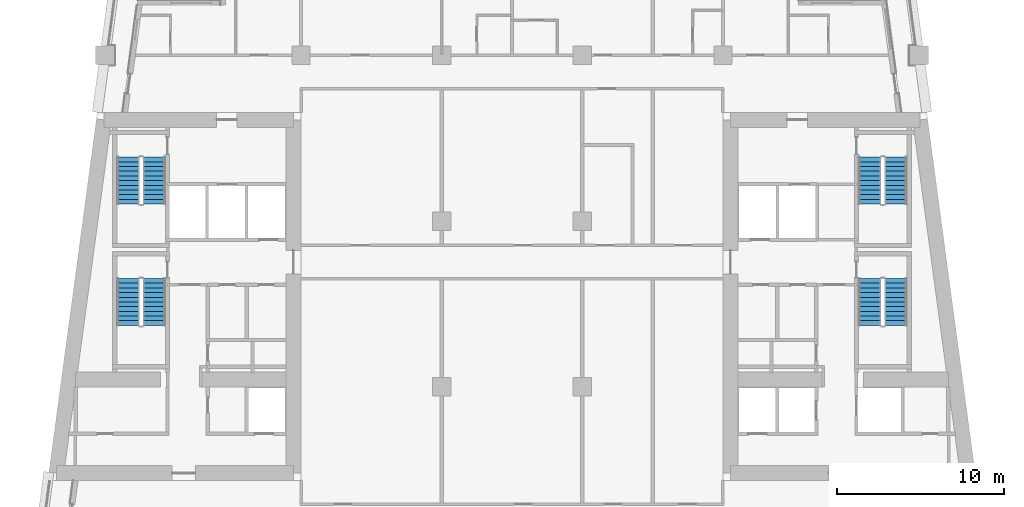
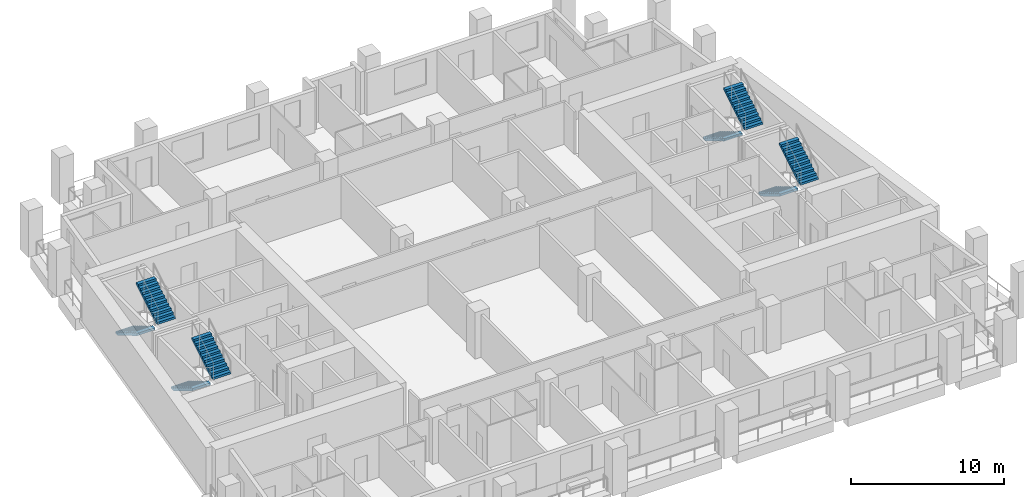
# One storey, part 8 of 13: 8 stair flights, 4 elements without a shape of their own.
"""IFC4 building model written with IfcOpenShell, lengths in metres."""

from ifc_helpers import new_model, si_unit, direction, frame, origin, place, context, subcontext, project, spatial, polyline, outline, extrude, material, type_object, element, aggregate, save


model = new_model("IFC4")

# Units and contexts
model_context = context("Model", 3, precision=1e-05, world=origin(), true_north=direction((0.0, 1.0)))
body_context = subcontext(model_context, "Body", "Model", "MODEL_VIEW")
ifc_project = project(units=[si_unit("LENGTHUNIT", "METRE"), si_unit("AREAUNIT", "SQUARE_METRE"), si_unit("VOLUMEUNIT", "CUBIC_METRE"), si_unit("PLANEANGLEUNIT", "RADIAN"), si_unit("MASSUNIT", "GRAM", prefix="KILO")], contexts=[model_context])

# Site, building, storey
site_placement = place(None, origin())
site = spatial("IfcSite", under=ifc_project, at=site_placement, CompositionType="ELEMENT")
building_placement = place(site_placement, origin())
building = spatial("IfcBuilding", under=site, at=building_placement, Name="Candeia Pilgrim Tower and Theatre", CompositionType="ELEMENT")
storey_placement = place(building_placement, frame((0.0, 0.0, 151.5)))
storey = spatial("IfcBuildingStorey", under=building, at=storey_placement, Name="L35", CompositionType="ELEMENT", Elevation=151.5)

# Stair, stair flights
ifc_material = material(Name="Concrete C40/50", Category="concrete")
stair_type = type_object("IfcStairType", Name="ST-TWR dog-leg escape stair", PredefinedType="HALF_TURN_STAIR", material=ifc_material)
stair_1_placement = place(storey_placement, origin())
stair_1 = element("IfcStair", 1, at=stair_1_placement, inside=storey, type_object=stair_type, Name="L35 Escape stair ST1", PredefinedType="HALF_TURN_STAIR")
stair_flight_type = type_object("IfcStairFlightType", Name="SFL-RC stair flight", PredefinedType="STRAIGHT", material=ifc_material)
stair_flight_1_placement = place(storey_placement, frame((90.47705078125, 122.47509765625, 0.0), z_axis=(0.0, 0.0, 1.0), x_axis=(0.0, -1.0, 0.0)))
stair_flight_1 = element("IfcStairFlight", 2, at=stair_flight_1_placement, type_object=stair_flight_type, Name="ST1 flight 1", NumberOfRisers=11, NumberOfTreads=10, PredefinedType="STRAIGHT", RiserHeight=0.168181818, TreadLength=0.28, context=body_context, shape_type="SweptSolid", body=[
    extrude(outline(polyline([(0.0, 0.0), (0.0, 0.168212890625), (0.280029296875, 0.168212890625), (0.280029296875, 0.33642578125), (0.56005859375, 0.33642578125), (0.56005859375, 0.504638671875), (0.840087890625, 0.504638671875), (0.840087890625, 0.672607421875), (1.1201171875, 0.672607421875), (1.1201171875, 0.8408203125), (1.39990234375, 0.8408203125), (1.39990234375, 1.009033203125), (1.679931640625, 1.009033203125), (1.679931640625, 1.17724609375), (1.9599609375, 1.17724609375), (1.9599609375, 1.345458984375), (2.239990234375, 1.345458984375), (2.239990234375, 1.513671875), (2.52001953125, 1.513671875), (2.52001953125, 1.681884765625), (2.800048828125, 1.681884765625), (2.800048828125, 1.85009765625), (2.800048828125, 1.5068359375), (0.291015625, 0.0), (0.0, 0.0)])), frame((0.0, 0.675048828125, 0.0), z_axis=(0.0, -1.0, 0.0), x_axis=(1.0, 0.0, 0.0)), (0.0, 0.0, 1.0), 1.35009765625),
])
stair_flight_2_placement = place(storey_placement, frame((92.027099609375, 119.675048828125, 1.85009765625), z_axis=(0.0, 0.0, 1.0), x_axis=(0.0, 1.0, 0.0)))
stair_flight_2 = element("IfcStairFlight", 3, at=stair_flight_2_placement, type_object=stair_flight_type, Name="ST1 flight 2", NumberOfRisers=11, NumberOfTreads=10, PredefinedType="STRAIGHT", RiserHeight=0.168181818, TreadLength=0.28, context=body_context, shape_type="SweptSolid", body=[
    extrude(outline(polyline([(0.0, 0.0), (0.0, 0.168212890625), (0.280029296875, 0.168212890625), (0.280029296875, 0.33642578125), (0.56005859375, 0.33642578125), (0.56005859375, 0.504638671875), (0.840087890625, 0.504638671875), (0.840087890625, 0.672607421875), (1.1201171875, 0.672607421875), (1.1201171875, 0.8408203125), (1.39990234375, 0.8408203125), (1.39990234375, 1.009033203125), (1.679931640625, 1.009033203125), (1.679931640625, 1.17724609375), (1.9599609375, 1.17724609375), (1.9599609375, 1.345458984375), (2.239990234375, 1.345458984375), (2.239990234375, 1.513671875), (2.52001953125, 1.513671875), (2.52001953125, 1.681884765625), (2.800048828125, 1.681884765625), (2.800048828125, 1.85009765625), (2.800048828125, 1.5068359375), (0.291015625, 0.0), (0.0, 0.0)])), frame((0.0, 0.675048828125, 0.0), z_axis=(0.0, -1.0, 0.0), x_axis=(1.0, 0.0, 0.0)), (0.0, 0.0, 1.0), 1.35009765625),
])
aggregate(stair_1, [stair_flight_1, stair_flight_2])

stair_2_placement = place(storey_placement, origin())
stair_2 = element("IfcStair", 4, at=stair_2_placement, inside=storey, type_object=stair_type, Name="L35 Escape stair ST2", PredefinedType="HALF_TURN_STAIR")
stair_flight_3_placement = place(storey_placement, frame((90.47705078125, 129.72509765625, 0.0), z_axis=(0.0, 0.0, 1.0), x_axis=(0.0, -1.0, 0.0)))
stair_flight_3 = element("IfcStairFlight", 5, at=stair_flight_3_placement, type_object=stair_flight_type, Name="ST2 flight 1", NumberOfRisers=11, NumberOfTreads=10, PredefinedType="STRAIGHT", RiserHeight=0.168181818, TreadLength=0.28, context=body_context, shape_type="SweptSolid", body=[
    extrude(outline(polyline([(0.0, 0.0), (0.0, 0.168212890625), (0.280029296875, 0.168212890625), (0.280029296875, 0.33642578125), (0.56005859375, 0.33642578125), (0.56005859375, 0.504638671875), (0.840087890625, 0.504638671875), (0.840087890625, 0.672607421875), (1.1201171875, 0.672607421875), (1.1201171875, 0.8408203125), (1.39990234375, 0.8408203125), (1.39990234375, 1.009033203125), (1.679931640625, 1.009033203125), (1.679931640625, 1.17724609375), (1.9599609375, 1.17724609375), (1.9599609375, 1.345458984375), (2.239990234375, 1.345458984375), (2.239990234375, 1.513671875), (2.52001953125, 1.513671875), (2.52001953125, 1.681884765625), (2.800048828125, 1.681884765625), (2.800048828125, 1.85009765625), (2.800048828125, 1.5068359375), (0.291015625, 0.0), (0.0, 0.0)])), frame((0.0, 0.675048828125, 0.0), z_axis=(0.0, -1.0, 0.0), x_axis=(1.0, 0.0, 0.0)), (0.0, 0.0, 1.0), 1.35009765625),
])
stair_flight_4_placement = place(storey_placement, frame((92.027099609375, 126.925048828125, 1.85009765625), z_axis=(0.0, 0.0, 1.0), x_axis=(0.0, 1.0, 0.0)))
stair_flight_4 = element("IfcStairFlight", 6, at=stair_flight_4_placement, type_object=stair_flight_type, Name="ST2 flight 2", NumberOfRisers=11, NumberOfTreads=10, PredefinedType="STRAIGHT", RiserHeight=0.168181818, TreadLength=0.28, context=body_context, shape_type="SweptSolid", body=[
    extrude(outline(polyline([(0.0, 0.0), (0.0, 0.168212890625), (0.280029296875, 0.168212890625), (0.280029296875, 0.33642578125), (0.56005859375, 0.33642578125), (0.56005859375, 0.504638671875), (0.840087890625, 0.504638671875), (0.840087890625, 0.672607421875), (1.1201171875, 0.672607421875), (1.1201171875, 0.8408203125), (1.39990234375, 0.8408203125), (1.39990234375, 1.009033203125), (1.679931640625, 1.009033203125), (1.679931640625, 1.17724609375), (1.9599609375, 1.17724609375), (1.9599609375, 1.345458984375), (2.239990234375, 1.345458984375), (2.239990234375, 1.513671875), (2.52001953125, 1.513671875), (2.52001953125, 1.681884765625), (2.800048828125, 1.681884765625), (2.800048828125, 1.85009765625), (2.800048828125, 1.5068359375), (0.291015625, 0.0), (0.0, 0.0)])), frame((0.0, 0.675048828125, 0.0), z_axis=(0.0, -1.0, 0.0), x_axis=(1.0, 0.0, 0.0)), (0.0, 0.0, 1.0), 1.35009765625),
])
aggregate(stair_2, [stair_flight_3, stair_flight_4])

stair_3_placement = place(storey_placement, origin())
stair_3 = element("IfcStair", 7, at=stair_3_placement, inside=storey, type_object=stair_type, Name="L35 Escape stair ST3", PredefinedType="HALF_TURN_STAIR")
stair_flight_5_placement = place(storey_placement, frame((134.77294921875, 122.47509765625, 0.0), z_axis=(0.0, 0.0, 1.0), x_axis=(0.0, -1.0, 0.0)))
stair_flight_5 = element("IfcStairFlight", 8, at=stair_flight_5_placement, type_object=stair_flight_type, Name="ST3 flight 1", NumberOfRisers=11, NumberOfTreads=10, PredefinedType="STRAIGHT", RiserHeight=0.168181818, TreadLength=0.28, context=body_context, shape_type="SweptSolid", body=[
    extrude(outline(polyline([(0.0, 0.0), (0.0, 0.168212890625), (0.280029296875, 0.168212890625), (0.280029296875, 0.33642578125), (0.56005859375, 0.33642578125), (0.56005859375, 0.504638671875), (0.840087890625, 0.504638671875), (0.840087890625, 0.672607421875), (1.1201171875, 0.672607421875), (1.1201171875, 0.8408203125), (1.39990234375, 0.8408203125), (1.39990234375, 1.009033203125), (1.679931640625, 1.009033203125), (1.679931640625, 1.17724609375), (1.9599609375, 1.17724609375), (1.9599609375, 1.345458984375), (2.239990234375, 1.345458984375), (2.239990234375, 1.513671875), (2.52001953125, 1.513671875), (2.52001953125, 1.681884765625), (2.800048828125, 1.681884765625), (2.800048828125, 1.85009765625), (2.800048828125, 1.5068359375), (0.291015625, 0.0), (0.0, 0.0)])), frame((0.0, 0.675048828125, 0.0), z_axis=(0.0, -1.0, 0.0), x_axis=(1.0, 0.0, 0.0)), (0.0, 0.0, 1.0), 1.35009765625),
])
stair_flight_6_placement = place(storey_placement, frame((136.322998046875, 119.675048828125, 1.85009765625), z_axis=(0.0, 0.0, 1.0), x_axis=(0.0, 1.0, 0.0)))
stair_flight_6 = element("IfcStairFlight", 9, at=stair_flight_6_placement, type_object=stair_flight_type, Name="ST3 flight 2", NumberOfRisers=11, NumberOfTreads=10, PredefinedType="STRAIGHT", RiserHeight=0.168181818, TreadLength=0.28, context=body_context, shape_type="SweptSolid", body=[
    extrude(outline(polyline([(0.0, 0.0), (0.0, 0.168212890625), (0.280029296875, 0.168212890625), (0.280029296875, 0.33642578125), (0.56005859375, 0.33642578125), (0.56005859375, 0.504638671875), (0.840087890625, 0.504638671875), (0.840087890625, 0.672607421875), (1.1201171875, 0.672607421875), (1.1201171875, 0.8408203125), (1.39990234375, 0.8408203125), (1.39990234375, 1.009033203125), (1.679931640625, 1.009033203125), (1.679931640625, 1.17724609375), (1.9599609375, 1.17724609375), (1.9599609375, 1.345458984375), (2.239990234375, 1.345458984375), (2.239990234375, 1.513671875), (2.52001953125, 1.513671875), (2.52001953125, 1.681884765625), (2.800048828125, 1.681884765625), (2.800048828125, 1.85009765625), (2.800048828125, 1.5068359375), (0.291015625, 0.0), (0.0, 0.0)])), frame((0.0, 0.675048828125, 0.0), z_axis=(0.0, -1.0, 0.0), x_axis=(1.0, 0.0, 0.0)), (0.0, 0.0, 1.0), 1.35009765625),
])
aggregate(stair_3, [stair_flight_5, stair_flight_6])

stair_4_placement = place(storey_placement, origin())
stair_4 = element("IfcStair", 10, at=stair_4_placement, inside=storey, type_object=stair_type, Name="L35 Escape stair ST4", PredefinedType="HALF_TURN_STAIR")
stair_flight_7_placement = place(storey_placement, frame((134.77294921875, 129.72509765625, 0.0), z_axis=(0.0, 0.0, 1.0), x_axis=(0.0, -1.0, 0.0)))
stair_flight_7 = element("IfcStairFlight", 11, at=stair_flight_7_placement, type_object=stair_flight_type, Name="ST4 flight 1", NumberOfRisers=11, NumberOfTreads=10, PredefinedType="STRAIGHT", RiserHeight=0.168181818, TreadLength=0.28, context=body_context, shape_type="SweptSolid", body=[
    extrude(outline(polyline([(0.0, 0.0), (0.0, 0.168212890625), (0.280029296875, 0.168212890625), (0.280029296875, 0.33642578125), (0.56005859375, 0.33642578125), (0.56005859375, 0.504638671875), (0.840087890625, 0.504638671875), (0.840087890625, 0.672607421875), (1.1201171875, 0.672607421875), (1.1201171875, 0.8408203125), (1.39990234375, 0.8408203125), (1.39990234375, 1.009033203125), (1.679931640625, 1.009033203125), (1.679931640625, 1.17724609375), (1.9599609375, 1.17724609375), (1.9599609375, 1.345458984375), (2.239990234375, 1.345458984375), (2.239990234375, 1.513671875), (2.52001953125, 1.513671875), (2.52001953125, 1.681884765625), (2.800048828125, 1.681884765625), (2.800048828125, 1.85009765625), (2.800048828125, 1.5068359375), (0.291015625, 0.0), (0.0, 0.0)])), frame((0.0, 0.675048828125, 0.0), z_axis=(0.0, -1.0, 0.0), x_axis=(1.0, 0.0, 0.0)), (0.0, 0.0, 1.0), 1.35009765625),
])
stair_flight_8_placement = place(storey_placement, frame((136.322998046875, 126.925048828125, 1.85009765625), z_axis=(0.0, 0.0, 1.0), x_axis=(0.0, 1.0, 0.0)))
stair_flight_8 = element("IfcStairFlight", 12, at=stair_flight_8_placement, type_object=stair_flight_type, Name="ST4 flight 2", NumberOfRisers=11, NumberOfTreads=10, PredefinedType="STRAIGHT", RiserHeight=0.168181818, TreadLength=0.28, context=body_context, shape_type="SweptSolid", body=[
    extrude(outline(polyline([(0.0, 0.0), (0.0, 0.168212890625), (0.280029296875, 0.168212890625), (0.280029296875, 0.33642578125), (0.56005859375, 0.33642578125), (0.56005859375, 0.504638671875), (0.840087890625, 0.504638671875), (0.840087890625, 0.672607421875), (1.1201171875, 0.672607421875), (1.1201171875, 0.8408203125), (1.39990234375, 0.8408203125), (1.39990234375, 1.009033203125), (1.679931640625, 1.009033203125), (1.679931640625, 1.17724609375), (1.9599609375, 1.17724609375), (1.9599609375, 1.345458984375), (2.239990234375, 1.345458984375), (2.239990234375, 1.513671875), (2.52001953125, 1.513671875), (2.52001953125, 1.681884765625), (2.800048828125, 1.681884765625), (2.800048828125, 1.85009765625), (2.800048828125, 1.5068359375), (0.291015625, 0.0), (0.0, 0.0)])), frame((0.0, 0.675048828125, 0.0), z_axis=(0.0, -1.0, 0.0), x_axis=(1.0, 0.0, 0.0)), (0.0, 0.0, 1.0), 1.35009765625),
])
aggregate(stair_4, [stair_flight_7, stair_flight_8])

save(model, "model.ifc")
